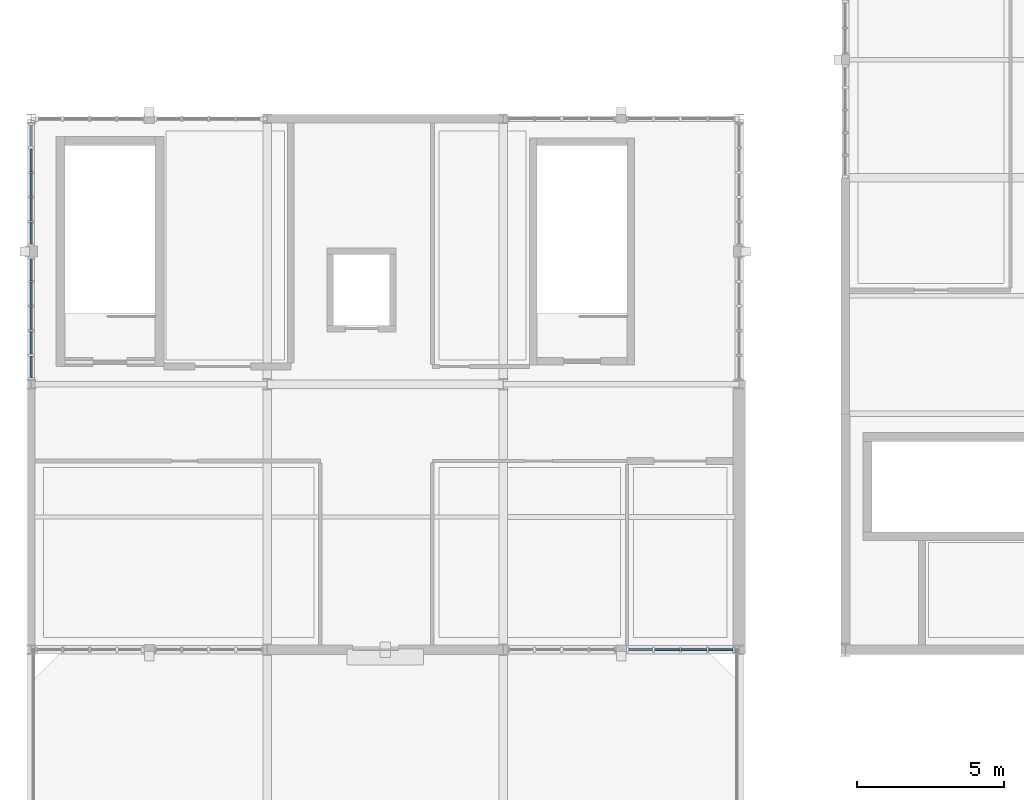
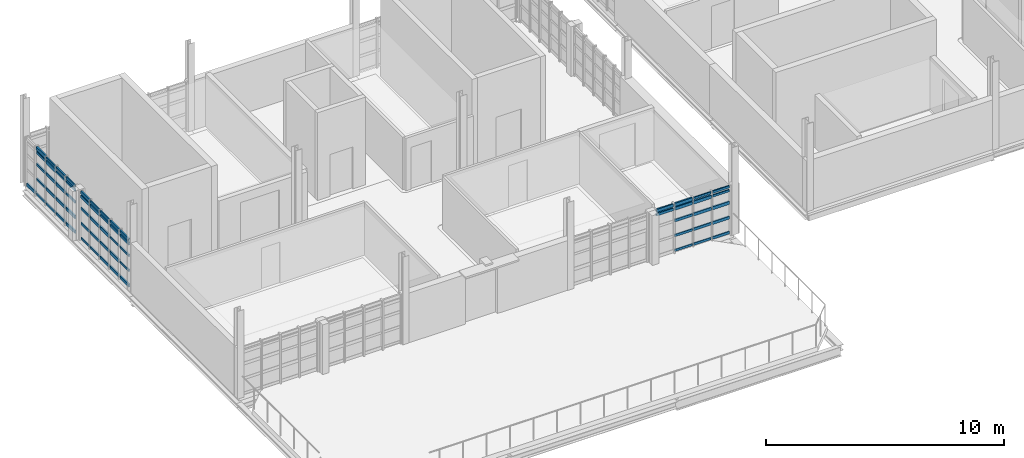
# One storey, part 18 of 44: 63 members, 3 elements without a shape of their own.
"""IFC4 building model written with IfcOpenShell, lengths in metres."""

from ifc_helpers import new_model, si_unit, direction, frame, origin, origin_2d, place, context, subcontext, project, spatial, rectangle, extrude, material, material_profile, profile_set, type_object, element, aggregate, save


model = new_model("IFC4")

# Units and contexts
model_context = context("Model", 3, precision=1e-05, world=origin(), true_north=direction((0.0, 1.0)))
body_context = subcontext(model_context, "Body", "Model", "MODEL_VIEW")
ifc_project = project(units=[si_unit("LENGTHUNIT", "METRE"), si_unit("AREAUNIT", "SQUARE_METRE"), si_unit("VOLUMEUNIT", "CUBIC_METRE"), si_unit("PLANEANGLEUNIT", "RADIAN"), si_unit("MASSUNIT", "GRAM", prefix="KILO")], contexts=[model_context])

# Site, building, storey
site_placement = place(None, origin())
site = spatial("IfcSite", under=ifc_project, at=site_placement, CompositionType="ELEMENT")
building_placement = place(site_placement, origin())
building = spatial("IfcBuilding", under=site, at=building_placement, Name="Serraforn Aerial Cableway Station", CompositionType="ELEMENT")
storey_placement = place(building_placement, frame((0.0, 0.0, 13.800048828125)))
storey = spatial("IfcBuildingStorey", under=building, at=storey_placement, Name="L03", CompositionType="ELEMENT", Elevation=13.800048828125)

# Curtain wall, members
ifc_material_1 = material(Name="Anodised bronze unitised curtain wall")
curtain_wall_type_1 = type_object("IfcCurtainWallType", Name="CW-SYS-10", PredefinedType="USERDEFINED", material=ifc_material_1)
curtain_wall_1_placement = place(storey_placement, origin())
curtain_wall_1 = element("IfcCurtainWall", 1, at=curtain_wall_1_placement, inside=storey, type_object=curtain_wall_type_1, Name="Unitised Curtain Wall CW-W-L03-S3B", ObjectType="UNITISED CURTAIN WALL", PredefinedType="USERDEFINED")
ifc_material_2 = material(Name="Anodised bronze extruded aluminium", Category="aluminium")
ifc_material_profile_1 = material_profile(ifc_material_2, rectangle(XDim=0.054931640625, YDim=0.110107421875, at=origin_2d()), Name="CW TRANSOM 55x110")
ifc_profile_set_1 = profile_set([ifc_material_profile_1], Name="Anodised bronze extruded aluminium")
member_type_1 = type_object("IfcMemberType", Name="CW-TRN-1", PredefinedType="USERDEFINED", material=ifc_profile_set_1)
member_1_placement = place(storey_placement, frame((21.133544921875, 18.0, 0.10205078125), z_axis=(1.0, 0.0, 0.0), x_axis=(0.0, 1.0, 0.0)))
member_1 = element("IfcMember", 2, at=member_1_placement, type_object=member_type_1, Name="Curtain Wall Transom CW-W-L03-S3B-T2-1", ObjectType="TRANSOM", PredefinedType="USERDEFINED", context=body_context, shape_type="SweptSolid", body=[
    extrude(rectangle(XDim=0.054931640625, YDim=0.110107421875, at=origin_2d()), origin(), (0.0, 0.0, 1.0), 0.85693359375),
])
member_2_placement = place(storey_placement, frame((22.04150390625, 18.0, 2.447998046875), z_axis=(1.0, 0.0, 0.0), x_axis=(0.0, 1.0, 0.0)))
member_2 = element("IfcMember", 3, at=member_2_placement, type_object=member_type_1, Name="Curtain Wall Transom CW-W-L03-S3B-T3-5", ObjectType="TRANSOM", PredefinedType="USERDEFINED", context=body_context, shape_type="SweptSolid", body=[
    extrude(rectangle(XDim=0.054931640625, YDim=0.110107421875, at=origin_2d()), origin(), (0.0, 0.0, 1.0), 0.864501953125),
])
member_3_placement = place(storey_placement, frame((22.9619140625, 18.0, 2.243896484375), z_axis=(1.0, 0.0, 0.0), x_axis=(0.0, 1.0, 0.0)))
member_3 = element("IfcMember", 4, at=member_3_placement, type_object=member_type_1, Name="Curtain Wall Transom CW-W-L03-S3B-T4-4", ObjectType="TRANSOM", PredefinedType="USERDEFINED", context=body_context, shape_type="SweptSolid", body=[
    extrude(rectangle(XDim=0.054931640625, YDim=0.110107421875, at=origin_2d()), origin(), (0.0, 0.0, 1.0), 0.8271484375),
])

curtain_wall_type_2 = type_object("IfcCurtainWallType", Name="CW-SYS-15", PredefinedType="USERDEFINED", material=ifc_material_1)
curtain_wall_2_placement = place(storey_placement, origin())
curtain_wall_2 = element("IfcCurtainWall", 5, at=curtain_wall_2_placement, inside=storey, type_object=curtain_wall_type_2, Name="Unitised Curtain Wall CW-W-L03-W2A", ObjectType="UNITISED CURTAIN WALL", PredefinedType="USERDEFINED")
member_4_placement = place(storey_placement, frame((0.0, 34.982177734375, 0.10205078125), z_axis=(0.0, -1.0, 0.0), x_axis=(1.0, 0.0, 0.0)))
member_4 = element("IfcMember", 6, at=member_4_placement, type_object=member_type_1, Name="Curtain Wall Transom CW-W-L03-W2A-T2-1", ObjectType="TRANSOM", PredefinedType="USERDEFINED", context=body_context, shape_type="SweptSolid", body=[
    extrude(rectangle(XDim=0.054931640625, YDim=0.110107421875, at=origin_2d()), origin(), (0.0, 0.0, 1.0), 0.7734375),
])
member_5_placement = place(storey_placement, frame((0.0, 34.15771484375, 2.447998046875), z_axis=(0.0, -1.0, 0.0), x_axis=(1.0, 0.0, 0.0)))
member_5 = element("IfcMember", 7, at=member_5_placement, type_object=member_type_1, Name="Curtain Wall Transom CW-W-L03-W2A-T3-5", ObjectType="TRANSOM", PredefinedType="USERDEFINED", context=body_context, shape_type="SweptSolid", body=[
    extrude(rectangle(XDim=0.054931640625, YDim=0.110107421875, at=origin_2d()), origin(), (0.0, 0.0, 1.0), 0.781005859375),
])
member_6_placement = place(storey_placement, frame((0.0, 33.32080078125, 2.243896484375), z_axis=(0.0, -1.0, 0.0), x_axis=(1.0, 0.0, 0.0)))
member_6 = element("IfcMember", 8, at=member_6_placement, type_object=member_type_1, Name="Curtain Wall Transom CW-W-L03-W2A-T4-4", ObjectType="TRANSOM", PredefinedType="USERDEFINED", context=body_context, shape_type="SweptSolid", body=[
    extrude(rectangle(XDim=0.054931640625, YDim=0.110107421875, at=origin_2d()), origin(), (0.0, 0.0, 1.0), 0.77587890625),
])
member_7_placement = place(storey_placement, frame((0.0, 32.48388671875, 1.6318359375), z_axis=(0.0, -1.0, 0.0), x_axis=(1.0, 0.0, 0.0)))
member_7 = element("IfcMember", 9, at=member_7_placement, type_object=member_type_1, Name="Curtain Wall Transom CW-W-L03-W2A-T5-3", ObjectType="TRANSOM", PredefinedType="USERDEFINED", context=body_context, shape_type="SweptSolid", body=[
    extrude(rectangle(XDim=0.054931640625, YDim=0.110107421875, at=origin_2d()), origin(), (0.0, 0.0, 1.0), 0.73583984375),
])

curtain_wall_type_3 = type_object("IfcCurtainWallType", Name="CW-SYS-16", PredefinedType="USERDEFINED", material=ifc_material_1)
curtain_wall_3_placement = place(storey_placement, origin())
curtain_wall_3 = element("IfcCurtainWall", 10, at=curtain_wall_3_placement, inside=storey, type_object=curtain_wall_type_3, Name="Unitised Curtain Wall CW-W-L03-W2B", ObjectType="UNITISED CURTAIN WALL", PredefinedType="USERDEFINED")
member_8_placement = place(storey_placement, frame((0.0, 31.2470703125, 0.10205078125), z_axis=(0.0, -1.0, 0.0), x_axis=(1.0, 0.0, 0.0)))
member_8 = element("IfcMember", 11, at=member_8_placement, type_object=member_type_1, Name="Curtain Wall Transom CW-W-L03-W2B-T1-1", ObjectType="TRANSOM", PredefinedType="USERDEFINED", context=body_context, shape_type="SweptSolid", body=[
    extrude(rectangle(XDim=0.054931640625, YDim=0.110107421875, at=origin_2d()), origin(), (0.0, 0.0, 1.0), 0.736083984375),
])
member_9_placement = place(storey_placement, frame((0.0, 30.460205078125, 2.447998046875), z_axis=(0.0, -1.0, 0.0), x_axis=(1.0, 0.0, 0.0)))
member_9 = element("IfcMember", 12, at=member_9_placement, type_object=member_type_1, Name="Curtain Wall Transom CW-W-L03-W2B-T2-5", ObjectType="TRANSOM", PredefinedType="USERDEFINED", context=body_context, shape_type="SweptSolid", body=[
    extrude(rectangle(XDim=0.054931640625, YDim=0.110107421875, at=origin_2d()), origin(), (0.0, 0.0, 1.0), 0.781005859375),
])
member_10_placement = place(storey_placement, frame((0.0, 29.623291015625, 2.243896484375), z_axis=(0.0, -1.0, 0.0), x_axis=(1.0, 0.0, 0.0)))
member_10 = element("IfcMember", 13, at=member_10_placement, type_object=member_type_1, Name="Curtain Wall Transom CW-W-L03-W2B-T3-4", ObjectType="TRANSOM", PredefinedType="USERDEFINED", context=body_context, shape_type="SweptSolid", body=[
    extrude(rectangle(XDim=0.054931640625, YDim=0.110107421875, at=origin_2d()), origin(), (0.0, 0.0, 1.0), 0.77587890625),
])
member_11_placement = place(storey_placement, frame((0.0, 28.786376953125, 1.6318359375), z_axis=(0.0, -1.0, 0.0), x_axis=(1.0, 0.0, 0.0)))
member_11 = element("IfcMember", 14, at=member_11_placement, type_object=member_type_1, Name="Curtain Wall Transom CW-W-L03-W2B-T4-3", ObjectType="TRANSOM", PredefinedType="USERDEFINED", context=body_context, shape_type="SweptSolid", body=[
    extrude(rectangle(XDim=0.054931640625, YDim=0.110107421875, at=origin_2d()), origin(), (0.0, 0.0, 1.0), 0.77099609375),
])
member_12_placement = place(storey_placement, frame((0.0, 27.949462890625, 0.866943359375), z_axis=(0.0, -1.0, 0.0), x_axis=(1.0, 0.0, 0.0)))
member_12 = element("IfcMember", 15, at=member_12_placement, type_object=member_type_1, Name="Curtain Wall Transom CW-W-L03-W2B-T5-2", ObjectType="TRANSOM", PredefinedType="USERDEFINED", context=body_context, shape_type="SweptSolid", body=[
    extrude(rectangle(XDim=0.054931640625, YDim=0.110107421875, at=origin_2d()), origin(), (0.0, 0.0, 1.0), 0.728515625),
])

# Member
ifc_material_profile_2 = material_profile(ifc_material_2, rectangle(XDim=0.06005859375, YDim=0.1201171875, at=origin_2d()), Name="CW TRANSOM 60x120")
ifc_profile_set_2 = profile_set([ifc_material_profile_2], Name="Anodised bronze extruded aluminium")
member_type_2 = type_object("IfcMemberType", Name="CW-TRN-2", PredefinedType="USERDEFINED", material=ifc_profile_set_2)
member_13_placement = place(storey_placement, frame((21.133544921875, 18.0, 0.866943359375), z_axis=(1.0, 0.0, 0.0), x_axis=(0.0, 1.0, 0.0)))
member_13 = element("IfcMember", 16, at=member_13_placement, type_object=member_type_2, Name="Curtain Wall Transom CW-W-L03-S3B-T2-2", ObjectType="TRANSOM", PredefinedType="USERDEFINED", context=body_context, shape_type="SweptSolid", body=[
    extrude(rectangle(XDim=0.06005859375, YDim=0.1201171875, at=origin_2d()), origin(), (0.0, 0.0, 1.0), 0.85693359375),
])

member_14_placement = place(storey_placement, frame((22.04150390625, 18.0, 0.10205078125), z_axis=(1.0, 0.0, 0.0), x_axis=(0.0, 1.0, 0.0)))
member_14 = element("IfcMember", 17, at=member_14_placement, type_object=member_type_2, Name="Curtain Wall Transom CW-W-L03-S3B-T3-1", ObjectType="TRANSOM", PredefinedType="USERDEFINED", context=body_context, shape_type="SweptSolid", body=[
    extrude(rectangle(XDim=0.06005859375, YDim=0.1201171875, at=origin_2d()), origin(), (0.0, 0.0, 1.0), 0.864501953125),
])

member_15_placement = place(storey_placement, frame((22.9619140625, 18.0, 2.447998046875), z_axis=(1.0, 0.0, 0.0), x_axis=(0.0, 1.0, 0.0)))
member_15 = element("IfcMember", 18, at=member_15_placement, type_object=member_type_2, Name="Curtain Wall Transom CW-W-L03-S3B-T4-5", ObjectType="TRANSOM", PredefinedType="USERDEFINED", context=body_context, shape_type="SweptSolid", body=[
    extrude(rectangle(XDim=0.06005859375, YDim=0.1201171875, at=origin_2d()), origin(), (0.0, 0.0, 1.0), 0.8271484375),
])

member_16_placement = place(storey_placement, frame((0.0, 34.982177734375, 0.866943359375), z_axis=(0.0, -1.0, 0.0), x_axis=(1.0, 0.0, 0.0)))
member_16 = element("IfcMember", 19, at=member_16_placement, type_object=member_type_2, Name="Curtain Wall Transom CW-W-L03-W2A-T2-2", ObjectType="TRANSOM", PredefinedType="USERDEFINED", context=body_context, shape_type="SweptSolid", body=[
    extrude(rectangle(XDim=0.06005859375, YDim=0.1201171875, at=origin_2d()), origin(), (0.0, 0.0, 1.0), 0.7734375),
])

member_17_placement = place(storey_placement, frame((0.0, 34.15771484375, 0.10205078125), z_axis=(0.0, -1.0, 0.0), x_axis=(1.0, 0.0, 0.0)))
member_17 = element("IfcMember", 20, at=member_17_placement, type_object=member_type_2, Name="Curtain Wall Transom CW-W-L03-W2A-T3-1", ObjectType="TRANSOM", PredefinedType="USERDEFINED", context=body_context, shape_type="SweptSolid", body=[
    extrude(rectangle(XDim=0.06005859375, YDim=0.1201171875, at=origin_2d()), origin(), (0.0, 0.0, 1.0), 0.781005859375),
])

member_18_placement = place(storey_placement, frame((0.0, 33.32080078125, 2.447998046875), z_axis=(0.0, -1.0, 0.0), x_axis=(1.0, 0.0, 0.0)))
member_18 = element("IfcMember", 21, at=member_18_placement, type_object=member_type_2, Name="Curtain Wall Transom CW-W-L03-W2A-T4-5", ObjectType="TRANSOM", PredefinedType="USERDEFINED", context=body_context, shape_type="SweptSolid", body=[
    extrude(rectangle(XDim=0.06005859375, YDim=0.1201171875, at=origin_2d()), origin(), (0.0, 0.0, 1.0), 0.77587890625),
])

member_19_placement = place(storey_placement, frame((0.0, 32.48388671875, 2.243896484375), z_axis=(0.0, -1.0, 0.0), x_axis=(1.0, 0.0, 0.0)))
member_19 = element("IfcMember", 22, at=member_19_placement, type_object=member_type_2, Name="Curtain Wall Transom CW-W-L03-W2A-T5-4", ObjectType="TRANSOM", PredefinedType="USERDEFINED", context=body_context, shape_type="SweptSolid", body=[
    extrude(rectangle(XDim=0.06005859375, YDim=0.1201171875, at=origin_2d()), origin(), (0.0, 0.0, 1.0), 0.73583984375),
])

member_20_placement = place(storey_placement, frame((0.0, 31.2470703125, 0.866943359375), z_axis=(0.0, -1.0, 0.0), x_axis=(1.0, 0.0, 0.0)))
member_20 = element("IfcMember", 23, at=member_20_placement, type_object=member_type_2, Name="Curtain Wall Transom CW-W-L03-W2B-T1-2", ObjectType="TRANSOM", PredefinedType="USERDEFINED", context=body_context, shape_type="SweptSolid", body=[
    extrude(rectangle(XDim=0.06005859375, YDim=0.1201171875, at=origin_2d()), origin(), (0.0, 0.0, 1.0), 0.736083984375),
])

member_21_placement = place(storey_placement, frame((0.0, 30.460205078125, 0.10205078125), z_axis=(0.0, -1.0, 0.0), x_axis=(1.0, 0.0, 0.0)))
member_21 = element("IfcMember", 24, at=member_21_placement, type_object=member_type_2, Name="Curtain Wall Transom CW-W-L03-W2B-T2-1", ObjectType="TRANSOM", PredefinedType="USERDEFINED", context=body_context, shape_type="SweptSolid", body=[
    extrude(rectangle(XDim=0.06005859375, YDim=0.1201171875, at=origin_2d()), origin(), (0.0, 0.0, 1.0), 0.781005859375),
])

member_22_placement = place(storey_placement, frame((0.0, 29.623291015625, 2.447998046875), z_axis=(0.0, -1.0, 0.0), x_axis=(1.0, 0.0, 0.0)))
member_22 = element("IfcMember", 25, at=member_22_placement, type_object=member_type_2, Name="Curtain Wall Transom CW-W-L03-W2B-T3-5", ObjectType="TRANSOM", PredefinedType="USERDEFINED", context=body_context, shape_type="SweptSolid", body=[
    extrude(rectangle(XDim=0.06005859375, YDim=0.1201171875, at=origin_2d()), origin(), (0.0, 0.0, 1.0), 0.77587890625),
])

member_23_placement = place(storey_placement, frame((0.0, 28.786376953125, 2.243896484375), z_axis=(0.0, -1.0, 0.0), x_axis=(1.0, 0.0, 0.0)))
member_23 = element("IfcMember", 26, at=member_23_placement, type_object=member_type_2, Name="Curtain Wall Transom CW-W-L03-W2B-T4-4", ObjectType="TRANSOM", PredefinedType="USERDEFINED", context=body_context, shape_type="SweptSolid", body=[
    extrude(rectangle(XDim=0.06005859375, YDim=0.1201171875, at=origin_2d()), origin(), (0.0, 0.0, 1.0), 0.77099609375),
])

member_24_placement = place(storey_placement, frame((0.0, 27.949462890625, 1.6318359375), z_axis=(0.0, -1.0, 0.0), x_axis=(1.0, 0.0, 0.0)))
member_24 = element("IfcMember", 27, at=member_24_placement, type_object=member_type_2, Name="Curtain Wall Transom CW-W-L03-W2B-T5-3", ObjectType="TRANSOM", PredefinedType="USERDEFINED", context=body_context, shape_type="SweptSolid", body=[
    extrude(rectangle(XDim=0.06005859375, YDim=0.1201171875, at=origin_2d()), origin(), (0.0, 0.0, 1.0), 0.728515625),
])

ifc_material_profile_3 = material_profile(ifc_material_2, rectangle(XDim=0.06494140625, YDim=0.135009765625, at=origin_2d()), Name="CW TRANSOM 65x135")
ifc_profile_set_3 = profile_set([ifc_material_profile_3], Name="Anodised bronze extruded aluminium")
member_type_3 = type_object("IfcMemberType", Name="CW-TRN-3", PredefinedType="USERDEFINED", material=ifc_profile_set_3)
member_25_placement = place(storey_placement, frame((20.248046875, 18.0, 2.243896484375), z_axis=(1.0, 0.0, 0.0), x_axis=(0.0, 1.0, 0.0)))
member_25 = element("IfcMember", 28, at=member_25_placement, type_object=member_type_3, Name="Curtain Wall Transom CW-W-L03-S3B-T1-4", ObjectType="TRANSOM", PredefinedType="USERDEFINED", context=body_context, shape_type="SweptSolid", body=[
    extrude(rectangle(XDim=0.06494140625, YDim=0.135009765625, at=origin_2d()), origin(), (0.0, 0.0, 1.0), 0.814453125),
])

member_26_placement = place(storey_placement, frame((21.133544921875, 18.0, 1.6318359375), z_axis=(1.0, 0.0, 0.0), x_axis=(0.0, 1.0, 0.0)))
member_26 = element("IfcMember", 29, at=member_26_placement, type_object=member_type_3, Name="Curtain Wall Transom CW-W-L03-S3B-T2-3", ObjectType="TRANSOM", PredefinedType="USERDEFINED", context=body_context, shape_type="SweptSolid", body=[
    extrude(rectangle(XDim=0.06494140625, YDim=0.135009765625, at=origin_2d()), origin(), (0.0, 0.0, 1.0), 0.85693359375),
])

member_27_placement = place(storey_placement, frame((22.04150390625, 18.0, 0.866943359375), z_axis=(1.0, 0.0, 0.0), x_axis=(0.0, 1.0, 0.0)))
member_27 = element("IfcMember", 30, at=member_27_placement, type_object=member_type_3, Name="Curtain Wall Transom CW-W-L03-S3B-T3-2", ObjectType="TRANSOM", PredefinedType="USERDEFINED", context=body_context, shape_type="SweptSolid", body=[
    extrude(rectangle(XDim=0.06494140625, YDim=0.135009765625, at=origin_2d()), origin(), (0.0, 0.0, 1.0), 0.864501953125),
])

member_28_placement = place(storey_placement, frame((22.9619140625, 18.0, 0.10205078125), z_axis=(1.0, 0.0, 0.0), x_axis=(0.0, 1.0, 0.0)))
member_28 = element("IfcMember", 31, at=member_28_placement, type_object=member_type_3, Name="Curtain Wall Transom CW-W-L03-S3B-T4-1", ObjectType="TRANSOM", PredefinedType="USERDEFINED", context=body_context, shape_type="SweptSolid", body=[
    extrude(rectangle(XDim=0.06494140625, YDim=0.135009765625, at=origin_2d()), origin(), (0.0, 0.0, 1.0), 0.8271484375),
])

member_29_placement = place(storey_placement, frame((0.0, 34.982177734375, 1.6318359375), z_axis=(0.0, -1.0, 0.0), x_axis=(1.0, 0.0, 0.0)))
member_29 = element("IfcMember", 32, at=member_29_placement, type_object=member_type_3, Name="Curtain Wall Transom CW-W-L03-W2A-T2-3", ObjectType="TRANSOM", PredefinedType="USERDEFINED", context=body_context, shape_type="SweptSolid", body=[
    extrude(rectangle(XDim=0.06494140625, YDim=0.135009765625, at=origin_2d()), origin(), (0.0, 0.0, 1.0), 0.7734375),
])

member_30_placement = place(storey_placement, frame((0.0, 34.15771484375, 0.866943359375), z_axis=(0.0, -1.0, 0.0), x_axis=(1.0, 0.0, 0.0)))
member_30 = element("IfcMember", 33, at=member_30_placement, type_object=member_type_3, Name="Curtain Wall Transom CW-W-L03-W2A-T3-2", ObjectType="TRANSOM", PredefinedType="USERDEFINED", context=body_context, shape_type="SweptSolid", body=[
    extrude(rectangle(XDim=0.06494140625, YDim=0.135009765625, at=origin_2d()), origin(), (0.0, 0.0, 1.0), 0.781005859375),
])

member_31_placement = place(storey_placement, frame((0.0, 33.32080078125, 0.10205078125), z_axis=(0.0, -1.0, 0.0), x_axis=(1.0, 0.0, 0.0)))
member_31 = element("IfcMember", 34, at=member_31_placement, type_object=member_type_3, Name="Curtain Wall Transom CW-W-L03-W2A-T4-1", ObjectType="TRANSOM", PredefinedType="USERDEFINED", context=body_context, shape_type="SweptSolid", body=[
    extrude(rectangle(XDim=0.06494140625, YDim=0.135009765625, at=origin_2d()), origin(), (0.0, 0.0, 1.0), 0.77587890625),
])

member_32_placement = place(storey_placement, frame((0.0, 32.48388671875, 2.447998046875), z_axis=(0.0, -1.0, 0.0), x_axis=(1.0, 0.0, 0.0)))
member_32 = element("IfcMember", 35, at=member_32_placement, type_object=member_type_3, Name="Curtain Wall Transom CW-W-L03-W2A-T5-5", ObjectType="TRANSOM", PredefinedType="USERDEFINED", context=body_context, shape_type="SweptSolid", body=[
    extrude(rectangle(XDim=0.06494140625, YDim=0.135009765625, at=origin_2d()), origin(), (0.0, 0.0, 1.0), 0.73583984375),
])

member_33_placement = place(storey_placement, frame((0.0, 31.2470703125, 1.6318359375), z_axis=(0.0, -1.0, 0.0), x_axis=(1.0, 0.0, 0.0)))
member_33 = element("IfcMember", 36, at=member_33_placement, type_object=member_type_3, Name="Curtain Wall Transom CW-W-L03-W2B-T1-3", ObjectType="TRANSOM", PredefinedType="USERDEFINED", context=body_context, shape_type="SweptSolid", body=[
    extrude(rectangle(XDim=0.06494140625, YDim=0.135009765625, at=origin_2d()), origin(), (0.0, 0.0, 1.0), 0.736083984375),
])

member_34_placement = place(storey_placement, frame((0.0, 30.460205078125, 0.866943359375), z_axis=(0.0, -1.0, 0.0), x_axis=(1.0, 0.0, 0.0)))
member_34 = element("IfcMember", 37, at=member_34_placement, type_object=member_type_3, Name="Curtain Wall Transom CW-W-L03-W2B-T2-2", ObjectType="TRANSOM", PredefinedType="USERDEFINED", context=body_context, shape_type="SweptSolid", body=[
    extrude(rectangle(XDim=0.06494140625, YDim=0.135009765625, at=origin_2d()), origin(), (0.0, 0.0, 1.0), 0.781005859375),
])

member_35_placement = place(storey_placement, frame((0.0, 29.623291015625, 0.10205078125), z_axis=(0.0, -1.0, 0.0), x_axis=(1.0, 0.0, 0.0)))
member_35 = element("IfcMember", 38, at=member_35_placement, type_object=member_type_3, Name="Curtain Wall Transom CW-W-L03-W2B-T3-1", ObjectType="TRANSOM", PredefinedType="USERDEFINED", context=body_context, shape_type="SweptSolid", body=[
    extrude(rectangle(XDim=0.06494140625, YDim=0.135009765625, at=origin_2d()), origin(), (0.0, 0.0, 1.0), 0.77587890625),
])

member_36_placement = place(storey_placement, frame((0.0, 28.786376953125, 2.447998046875), z_axis=(0.0, -1.0, 0.0), x_axis=(1.0, 0.0, 0.0)))
member_36 = element("IfcMember", 39, at=member_36_placement, type_object=member_type_3, Name="Curtain Wall Transom CW-W-L03-W2B-T4-5", ObjectType="TRANSOM", PredefinedType="USERDEFINED", context=body_context, shape_type="SweptSolid", body=[
    extrude(rectangle(XDim=0.06494140625, YDim=0.135009765625, at=origin_2d()), origin(), (0.0, 0.0, 1.0), 0.77099609375),
])

member_37_placement = place(storey_placement, frame((0.0, 27.949462890625, 2.243896484375), z_axis=(0.0, -1.0, 0.0), x_axis=(1.0, 0.0, 0.0)))
member_37 = element("IfcMember", 40, at=member_37_placement, type_object=member_type_3, Name="Curtain Wall Transom CW-W-L03-W2B-T5-4", ObjectType="TRANSOM", PredefinedType="USERDEFINED", context=body_context, shape_type="SweptSolid", body=[
    extrude(rectangle(XDim=0.06494140625, YDim=0.135009765625, at=origin_2d()), origin(), (0.0, 0.0, 1.0), 0.728515625),
])

ifc_material_profile_4 = material_profile(ifc_material_2, rectangle(XDim=0.070068359375, YDim=0.14990234375, at=origin_2d()), Name="CW TRANSOM 70x150")
ifc_profile_set_4 = profile_set([ifc_material_profile_4], Name="Anodised bronze extruded aluminium")
member_type_4 = type_object("IfcMemberType", Name="CW-TRN-4", PredefinedType="USERDEFINED", material=ifc_profile_set_4)
member_38_placement = place(storey_placement, frame((20.248046875, 18.0, 2.447998046875), z_axis=(1.0, 0.0, 0.0), x_axis=(0.0, 1.0, 0.0)))
member_38 = element("IfcMember", 41, at=member_38_placement, type_object=member_type_4, Name="Curtain Wall Transom CW-W-L03-S3B-T1-5", ObjectType="TRANSOM", PredefinedType="USERDEFINED", context=body_context, shape_type="SweptSolid", body=[
    extrude(rectangle(XDim=0.070068359375, YDim=0.14990234375, at=origin_2d()), origin(), (0.0, 0.0, 1.0), 0.814453125),
])

member_39_placement = place(storey_placement, frame((21.133544921875, 18.0, 2.243896484375), z_axis=(1.0, 0.0, 0.0), x_axis=(0.0, 1.0, 0.0)))
member_39 = element("IfcMember", 42, at=member_39_placement, type_object=member_type_4, Name="Curtain Wall Transom CW-W-L03-S3B-T2-4", ObjectType="TRANSOM", PredefinedType="USERDEFINED", context=body_context, shape_type="SweptSolid", body=[
    extrude(rectangle(XDim=0.070068359375, YDim=0.14990234375, at=origin_2d()), origin(), (0.0, 0.0, 1.0), 0.85693359375),
])

member_40_placement = place(storey_placement, frame((22.04150390625, 18.0, 1.6318359375), z_axis=(1.0, 0.0, 0.0), x_axis=(0.0, 1.0, 0.0)))
member_40 = element("IfcMember", 43, at=member_40_placement, type_object=member_type_4, Name="Curtain Wall Transom CW-W-L03-S3B-T3-3", ObjectType="TRANSOM", PredefinedType="USERDEFINED", context=body_context, shape_type="SweptSolid", body=[
    extrude(rectangle(XDim=0.070068359375, YDim=0.14990234375, at=origin_2d()), origin(), (0.0, 0.0, 1.0), 0.864501953125),
])

member_41_placement = place(storey_placement, frame((22.9619140625, 18.0, 0.866943359375), z_axis=(1.0, 0.0, 0.0), x_axis=(0.0, 1.0, 0.0)))
member_41 = element("IfcMember", 44, at=member_41_placement, type_object=member_type_4, Name="Curtain Wall Transom CW-W-L03-S3B-T4-2", ObjectType="TRANSOM", PredefinedType="USERDEFINED", context=body_context, shape_type="SweptSolid", body=[
    extrude(rectangle(XDim=0.070068359375, YDim=0.14990234375, at=origin_2d()), origin(), (0.0, 0.0, 1.0), 0.8271484375),
])

member_42_placement = place(storey_placement, frame((0.0, 34.982177734375, 2.243896484375), z_axis=(0.0, -1.0, 0.0), x_axis=(1.0, 0.0, 0.0)))
member_42 = element("IfcMember", 45, at=member_42_placement, type_object=member_type_4, Name="Curtain Wall Transom CW-W-L03-W2A-T2-4", ObjectType="TRANSOM", PredefinedType="USERDEFINED", context=body_context, shape_type="SweptSolid", body=[
    extrude(rectangle(XDim=0.070068359375, YDim=0.14990234375, at=origin_2d()), origin(), (0.0, 0.0, 1.0), 0.7734375),
])

member_43_placement = place(storey_placement, frame((0.0, 34.15771484375, 1.6318359375), z_axis=(0.0, -1.0, 0.0), x_axis=(1.0, 0.0, 0.0)))
member_43 = element("IfcMember", 46, at=member_43_placement, type_object=member_type_4, Name="Curtain Wall Transom CW-W-L03-W2A-T3-3", ObjectType="TRANSOM", PredefinedType="USERDEFINED", context=body_context, shape_type="SweptSolid", body=[
    extrude(rectangle(XDim=0.070068359375, YDim=0.14990234375, at=origin_2d()), origin(), (0.0, 0.0, 1.0), 0.781005859375),
])

member_44_placement = place(storey_placement, frame((0.0, 33.32080078125, 0.866943359375), z_axis=(0.0, -1.0, 0.0), x_axis=(1.0, 0.0, 0.0)))
member_44 = element("IfcMember", 47, at=member_44_placement, type_object=member_type_4, Name="Curtain Wall Transom CW-W-L03-W2A-T4-2", ObjectType="TRANSOM", PredefinedType="USERDEFINED", context=body_context, shape_type="SweptSolid", body=[
    extrude(rectangle(XDim=0.070068359375, YDim=0.14990234375, at=origin_2d()), origin(), (0.0, 0.0, 1.0), 0.77587890625),
])

member_45_placement = place(storey_placement, frame((0.0, 32.48388671875, 0.10205078125), z_axis=(0.0, -1.0, 0.0), x_axis=(1.0, 0.0, 0.0)))
member_45 = element("IfcMember", 48, at=member_45_placement, type_object=member_type_4, Name="Curtain Wall Transom CW-W-L03-W2A-T5-1", ObjectType="TRANSOM", PredefinedType="USERDEFINED", context=body_context, shape_type="SweptSolid", body=[
    extrude(rectangle(XDim=0.070068359375, YDim=0.14990234375, at=origin_2d()), origin(), (0.0, 0.0, 1.0), 0.73583984375),
])

member_46_placement = place(storey_placement, frame((0.0, 31.2470703125, 2.243896484375), z_axis=(0.0, -1.0, 0.0), x_axis=(1.0, 0.0, 0.0)))
member_46 = element("IfcMember", 49, at=member_46_placement, type_object=member_type_4, Name="Curtain Wall Transom CW-W-L03-W2B-T1-4", ObjectType="TRANSOM", PredefinedType="USERDEFINED", context=body_context, shape_type="SweptSolid", body=[
    extrude(rectangle(XDim=0.070068359375, YDim=0.14990234375, at=origin_2d()), origin(), (0.0, 0.0, 1.0), 0.736083984375),
])

member_47_placement = place(storey_placement, frame((0.0, 30.460205078125, 1.6318359375), z_axis=(0.0, -1.0, 0.0), x_axis=(1.0, 0.0, 0.0)))
member_47 = element("IfcMember", 50, at=member_47_placement, type_object=member_type_4, Name="Curtain Wall Transom CW-W-L03-W2B-T2-3", ObjectType="TRANSOM", PredefinedType="USERDEFINED", context=body_context, shape_type="SweptSolid", body=[
    extrude(rectangle(XDim=0.070068359375, YDim=0.14990234375, at=origin_2d()), origin(), (0.0, 0.0, 1.0), 0.781005859375),
])

member_48_placement = place(storey_placement, frame((0.0, 29.623291015625, 0.866943359375), z_axis=(0.0, -1.0, 0.0), x_axis=(1.0, 0.0, 0.0)))
member_48 = element("IfcMember", 51, at=member_48_placement, type_object=member_type_4, Name="Curtain Wall Transom CW-W-L03-W2B-T3-2", ObjectType="TRANSOM", PredefinedType="USERDEFINED", context=body_context, shape_type="SweptSolid", body=[
    extrude(rectangle(XDim=0.070068359375, YDim=0.14990234375, at=origin_2d()), origin(), (0.0, 0.0, 1.0), 0.77587890625),
])

member_49_placement = place(storey_placement, frame((0.0, 28.786376953125, 0.10205078125), z_axis=(0.0, -1.0, 0.0), x_axis=(1.0, 0.0, 0.0)))
member_49 = element("IfcMember", 52, at=member_49_placement, type_object=member_type_4, Name="Curtain Wall Transom CW-W-L03-W2B-T4-1", ObjectType="TRANSOM", PredefinedType="USERDEFINED", context=body_context, shape_type="SweptSolid", body=[
    extrude(rectangle(XDim=0.070068359375, YDim=0.14990234375, at=origin_2d()), origin(), (0.0, 0.0, 1.0), 0.77099609375),
])

member_50_placement = place(storey_placement, frame((0.0, 27.949462890625, 2.447998046875), z_axis=(0.0, -1.0, 0.0), x_axis=(1.0, 0.0, 0.0)))
member_50 = element("IfcMember", 53, at=member_50_placement, type_object=member_type_4, Name="Curtain Wall Transom CW-W-L03-W2B-T5-5", ObjectType="TRANSOM", PredefinedType="USERDEFINED", context=body_context, shape_type="SweptSolid", body=[
    extrude(rectangle(XDim=0.070068359375, YDim=0.14990234375, at=origin_2d()), origin(), (0.0, 0.0, 1.0), 0.728515625),
])

ifc_material_profile_5 = material_profile(ifc_material_2, rectangle(XDim=0.074951171875, YDim=0.1650390625, at=origin_2d()), Name="CW TRANSOM 75x165")
ifc_profile_set_5 = profile_set([ifc_material_profile_5], Name="Anodised bronze extruded aluminium")
member_type_5 = type_object("IfcMemberType", Name="CW-TRN-5", PredefinedType="USERDEFINED", material=ifc_profile_set_5)
member_51_placement = place(storey_placement, frame((21.133544921875, 18.0, 2.447998046875), z_axis=(1.0, 0.0, 0.0), x_axis=(0.0, 1.0, 0.0)))
member_51 = element("IfcMember", 54, at=member_51_placement, type_object=member_type_5, Name="Curtain Wall Transom CW-W-L03-S3B-T2-5", ObjectType="TRANSOM", PredefinedType="USERDEFINED", context=body_context, shape_type="SweptSolid", body=[
    extrude(rectangle(XDim=0.074951171875, YDim=0.1650390625, at=origin_2d()), origin(), (0.0, 0.0, 1.0), 0.85693359375),
])

member_52_placement = place(storey_placement, frame((22.04150390625, 18.0, 2.243896484375), z_axis=(1.0, 0.0, 0.0), x_axis=(0.0, 1.0, 0.0)))
member_52 = element("IfcMember", 55, at=member_52_placement, type_object=member_type_5, Name="Curtain Wall Transom CW-W-L03-S3B-T3-4", ObjectType="TRANSOM", PredefinedType="USERDEFINED", context=body_context, shape_type="SweptSolid", body=[
    extrude(rectangle(XDim=0.074951171875, YDim=0.1650390625, at=origin_2d()), origin(), (0.0, 0.0, 1.0), 0.864501953125),
])

member_53_placement = place(storey_placement, frame((22.9619140625, 18.0, 1.6318359375), z_axis=(1.0, 0.0, 0.0), x_axis=(0.0, 1.0, 0.0)))
member_53 = element("IfcMember", 56, at=member_53_placement, type_object=member_type_5, Name="Curtain Wall Transom CW-W-L03-S3B-T4-3", ObjectType="TRANSOM", PredefinedType="USERDEFINED", context=body_context, shape_type="SweptSolid", body=[
    extrude(rectangle(XDim=0.074951171875, YDim=0.1650390625, at=origin_2d()), origin(), (0.0, 0.0, 1.0), 0.8271484375),
])

aggregate(curtain_wall_1, [member_25, member_38, member_1, member_13, member_26, member_39, member_51, member_14, member_27, member_40, member_52, member_2, member_28, member_41, member_53, member_3, member_15])

member_54_placement = place(storey_placement, frame((0.0, 35.783935546875, 0.10205078125), z_axis=(0.0, -1.0, 0.0), x_axis=(1.0, 0.0, 0.0)))
member_54 = element("IfcMember", 57, at=member_54_placement, type_object=member_type_5, Name="Curtain Wall Transom CW-W-L03-W2A-T1-1", ObjectType="TRANSOM", PredefinedType="USERDEFINED", context=body_context, shape_type="SweptSolid", body=[
    extrude(rectangle(XDim=0.074951171875, YDim=0.1650390625, at=origin_2d()), origin(), (0.0, 0.0, 1.0), 0.73095703125),
])

member_55_placement = place(storey_placement, frame((0.0, 34.982177734375, 2.447998046875), z_axis=(0.0, -1.0, 0.0), x_axis=(1.0, 0.0, 0.0)))
member_55 = element("IfcMember", 58, at=member_55_placement, type_object=member_type_5, Name="Curtain Wall Transom CW-W-L03-W2A-T2-5", ObjectType="TRANSOM", PredefinedType="USERDEFINED", context=body_context, shape_type="SweptSolid", body=[
    extrude(rectangle(XDim=0.074951171875, YDim=0.1650390625, at=origin_2d()), origin(), (0.0, 0.0, 1.0), 0.7734375),
])

member_56_placement = place(storey_placement, frame((0.0, 34.15771484375, 2.243896484375), z_axis=(0.0, -1.0, 0.0), x_axis=(1.0, 0.0, 0.0)))
member_56 = element("IfcMember", 59, at=member_56_placement, type_object=member_type_5, Name="Curtain Wall Transom CW-W-L03-W2A-T3-4", ObjectType="TRANSOM", PredefinedType="USERDEFINED", context=body_context, shape_type="SweptSolid", body=[
    extrude(rectangle(XDim=0.074951171875, YDim=0.1650390625, at=origin_2d()), origin(), (0.0, 0.0, 1.0), 0.781005859375),
])

member_57_placement = place(storey_placement, frame((0.0, 33.32080078125, 1.6318359375), z_axis=(0.0, -1.0, 0.0), x_axis=(1.0, 0.0, 0.0)))
member_57 = element("IfcMember", 60, at=member_57_placement, type_object=member_type_5, Name="Curtain Wall Transom CW-W-L03-W2A-T4-3", ObjectType="TRANSOM", PredefinedType="USERDEFINED", context=body_context, shape_type="SweptSolid", body=[
    extrude(rectangle(XDim=0.074951171875, YDim=0.1650390625, at=origin_2d()), origin(), (0.0, 0.0, 1.0), 0.77587890625),
])

member_58_placement = place(storey_placement, frame((0.0, 32.48388671875, 0.866943359375), z_axis=(0.0, -1.0, 0.0), x_axis=(1.0, 0.0, 0.0)))
member_58 = element("IfcMember", 61, at=member_58_placement, type_object=member_type_5, Name="Curtain Wall Transom CW-W-L03-W2A-T5-2", ObjectType="TRANSOM", PredefinedType="USERDEFINED", context=body_context, shape_type="SweptSolid", body=[
    extrude(rectangle(XDim=0.074951171875, YDim=0.1650390625, at=origin_2d()), origin(), (0.0, 0.0, 1.0), 0.73583984375),
])

aggregate(curtain_wall_2, [member_54, member_4, member_16, member_29, member_42, member_55, member_17, member_30, member_43, member_56, member_5, member_31, member_44, member_57, member_6, member_18, member_45, member_58, member_7, member_19, member_32])

member_59_placement = place(storey_placement, frame((0.0, 31.2470703125, 2.447998046875), z_axis=(0.0, -1.0, 0.0), x_axis=(1.0, 0.0, 0.0)))
member_59 = element("IfcMember", 62, at=member_59_placement, type_object=member_type_5, Name="Curtain Wall Transom CW-W-L03-W2B-T1-5", ObjectType="TRANSOM", PredefinedType="USERDEFINED", context=body_context, shape_type="SweptSolid", body=[
    extrude(rectangle(XDim=0.074951171875, YDim=0.1650390625, at=origin_2d()), origin(), (0.0, 0.0, 1.0), 0.736083984375),
])

member_60_placement = place(storey_placement, frame((0.0, 30.460205078125, 2.243896484375), z_axis=(0.0, -1.0, 0.0), x_axis=(1.0, 0.0, 0.0)))
member_60 = element("IfcMember", 63, at=member_60_placement, type_object=member_type_5, Name="Curtain Wall Transom CW-W-L03-W2B-T2-4", ObjectType="TRANSOM", PredefinedType="USERDEFINED", context=body_context, shape_type="SweptSolid", body=[
    extrude(rectangle(XDim=0.074951171875, YDim=0.1650390625, at=origin_2d()), origin(), (0.0, 0.0, 1.0), 0.781005859375),
])

member_61_placement = place(storey_placement, frame((0.0, 29.623291015625, 1.6318359375), z_axis=(0.0, -1.0, 0.0), x_axis=(1.0, 0.0, 0.0)))
member_61 = element("IfcMember", 64, at=member_61_placement, type_object=member_type_5, Name="Curtain Wall Transom CW-W-L03-W2B-T3-3", ObjectType="TRANSOM", PredefinedType="USERDEFINED", context=body_context, shape_type="SweptSolid", body=[
    extrude(rectangle(XDim=0.074951171875, YDim=0.1650390625, at=origin_2d()), origin(), (0.0, 0.0, 1.0), 0.77587890625),
])

member_62_placement = place(storey_placement, frame((0.0, 28.786376953125, 0.866943359375), z_axis=(0.0, -1.0, 0.0), x_axis=(1.0, 0.0, 0.0)))
member_62 = element("IfcMember", 65, at=member_62_placement, type_object=member_type_5, Name="Curtain Wall Transom CW-W-L03-W2B-T4-2", ObjectType="TRANSOM", PredefinedType="USERDEFINED", context=body_context, shape_type="SweptSolid", body=[
    extrude(rectangle(XDim=0.074951171875, YDim=0.1650390625, at=origin_2d()), origin(), (0.0, 0.0, 1.0), 0.77099609375),
])

member_63_placement = place(storey_placement, frame((0.0, 27.949462890625, 0.10205078125), z_axis=(0.0, -1.0, 0.0), x_axis=(1.0, 0.0, 0.0)))
member_63 = element("IfcMember", 66, at=member_63_placement, type_object=member_type_5, Name="Curtain Wall Transom CW-W-L03-W2B-T5-1", ObjectType="TRANSOM", PredefinedType="USERDEFINED", context=body_context, shape_type="SweptSolid", body=[
    extrude(rectangle(XDim=0.074951171875, YDim=0.1650390625, at=origin_2d()), origin(), (0.0, 0.0, 1.0), 0.728515625),
])

aggregate(curtain_wall_3, [member_8, member_20, member_33, member_46, member_59, member_21, member_34, member_47, member_60, member_9, member_35, member_48, member_61, member_10, member_22, member_49, member_62, member_11, member_23, member_36, member_63, member_12, member_24, member_37, member_50])

save(model, "model.ifc")
